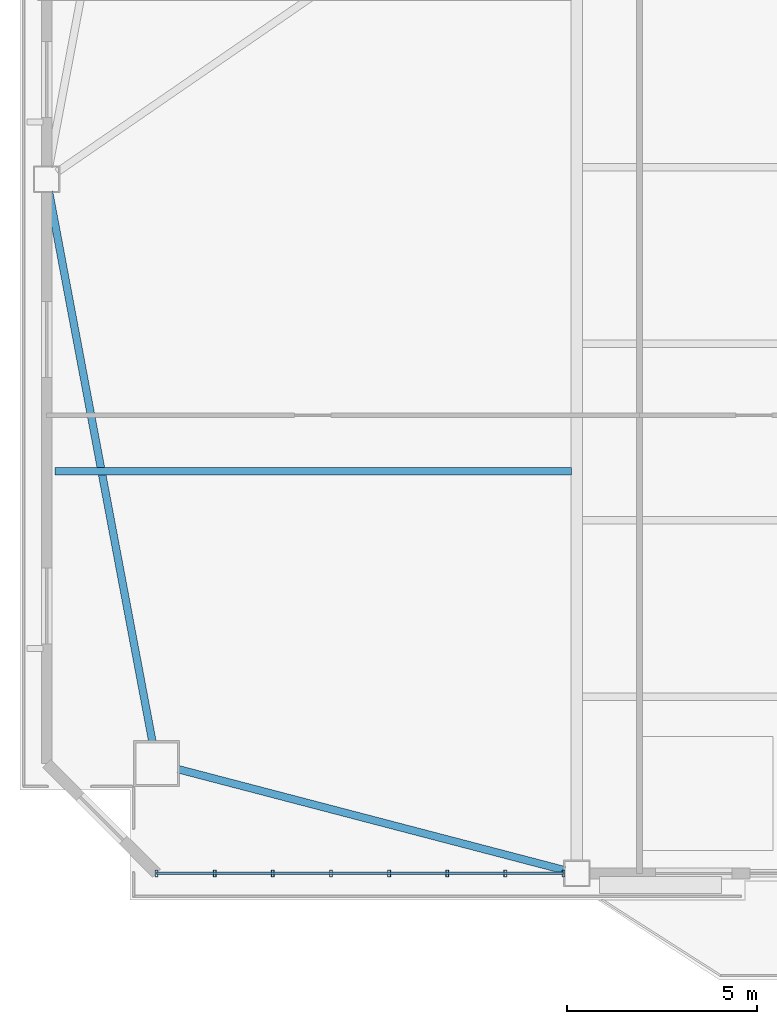
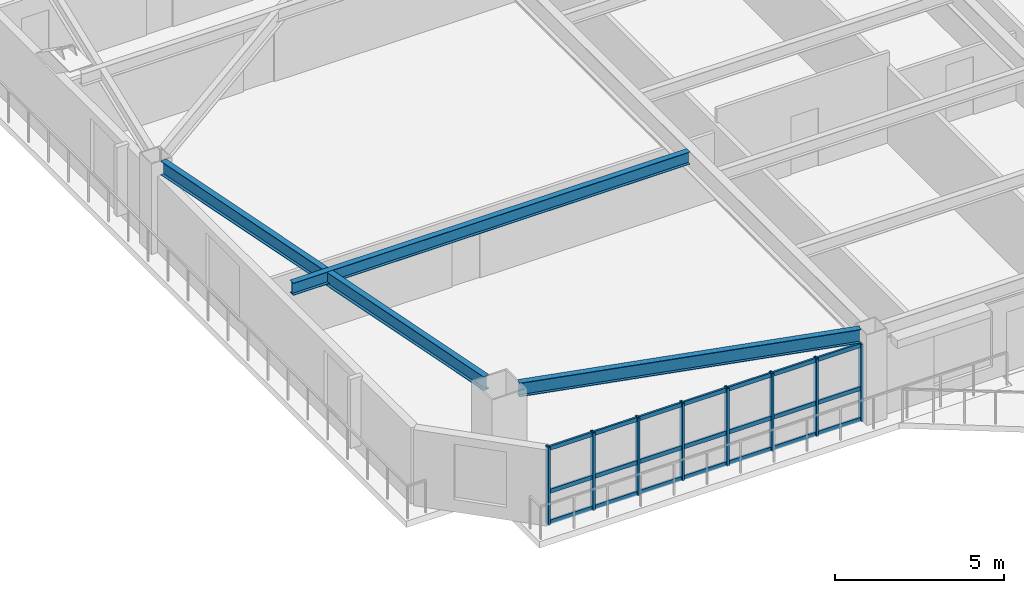
# One storey, part 2 of 15: 11 members, 3 beams, 1 element without a shape of its own.
"""IFC4 building model written with IfcOpenShell, lengths in metres."""

from ifc_helpers import new_model, si_unit, direction, frame, origin, origin_2d, place, context, subcontext, project, spatial, hollow_rectangle, i_section, extrude, source, transform, mapped, material, layer, layer_set, material_profile, profile_set, type_object, element, aggregate, save


model = new_model("IFC4")

# Units and contexts
model_context = context("Model", 3, precision=1e-05, world=origin(), true_north=direction((0.0, 1.0)))
body_context = subcontext(model_context, "Body", "Model", "MODEL_VIEW")
ifc_project = project(units=[si_unit("LENGTHUNIT", "METRE"), si_unit("AREAUNIT", "SQUARE_METRE"), si_unit("VOLUMEUNIT", "CUBIC_METRE"), si_unit("PLANEANGLEUNIT", "RADIAN"), si_unit("MASSUNIT", "GRAM", prefix="KILO")], contexts=[model_context])

# Site, building, storey
site_placement = place(None, origin())
site = spatial("IfcSite", under=ifc_project, at=site_placement, CompositionType="ELEMENT")
building_placement = place(site_placement, origin())
building = spatial("IfcBuilding", under=site, at=building_placement, Name="Giltprow Tower", CompositionType="ELEMENT")
storey_placement = place(building_placement, frame((0.0, 0.0, 173.699951171875)))
storey = spatial("IfcBuildingStorey", under=building, at=storey_placement, Name="L43", CompositionType="ELEMENT", Elevation=173.699951171875)

# Beams
ifc_material_1 = material(Name="Structural steel Q355B", Category="steel")
ifc_material_profile_1 = material_profile(ifc_material_1, i_section(OverallWidth=0.199951171875, OverallDepth=0.449951171875, WebThickness=0.009033203125, FlangeThickness=0.013916015625, at=origin_2d()), Name="HN 450x200x9x14")
ifc_profile_set_1 = profile_set([ifc_material_profile_1], Name="Structural steel Q355B")
beam_type_1 = type_object("IfcBeamType", Name="BM-JOIST-HN450", PredefinedType="JOIST", material=ifc_profile_set_1)
shared_shape_1 = source(origin(), body_context, "Body", "SweptSolid", [
    extrude(i_section(OverallWidth=0.199951171875, OverallDepth=0.449951171875, WebThickness=0.009033203125, FlangeThickness=0.013916015625, at=origin_2d()), origin(), (0.0, 0.0, 1.0), 13.566162109375),
])
beam_1_placement = place(storey_placement, frame((6.138916015625, 20.18798828125, 3.045166015625), z_axis=(1.0, 0.0, 0.0), x_axis=(0.0, 1.0, 0.0)))
element("IfcBeam", 1, at=beam_1_placement, inside=storey, type_object=beam_type_1, Name="L43 West Wing Floor Joist 1", PredefinedType="JOIST", context=body_context, shape_type="MappedRepresentation", body=[
    mapped(shared_shape_1, transform((0.0, 0.0, 0.0), x_axis=(1.0, 0.0, 0.0), y_axis=(0.0, 1.0, 0.0), z_axis=(0.0, 0.0, 1.0), scale=1.0)),
])
ifc_material_profile_2 = material_profile(ifc_material_1, i_section(OverallWidth=0.199951171875, OverallDepth=0.5, WebThickness=0.010009765625, FlangeThickness=0.01611328125, at=origin_2d()), Name="HN 500x200x10x16")
ifc_profile_set_2 = profile_set([ifc_material_profile_2], Name="Structural steel Q355B")
beam_type_2 = type_object("IfcBeamType", Name="BM-SPAN-HN500", PredefinedType="SPANDREL", material=ifc_profile_set_2)
shared_shape_2 = source(origin(), body_context, "Body", "SweptSolid", [
    extrude(i_section(OverallWidth=0.199951171875, OverallDepth=0.5, WebThickness=0.010009765625, FlangeThickness=0.01611328125, at=origin_2d()), origin(), (0.0, 0.0, 1.0), 10.494873046875),
])
beam_2_placement = place(storey_placement, frame((9.3720703125, 12.364990234375, 3.02001953125), z_axis=(0.967495370313, -0.252888727354, 0.0), x_axis=(0.252888727354, 0.967495370313, 0.0)))
element("IfcBeam", 2, at=beam_2_placement, inside=storey, type_object=beam_type_2, Name="L43 Perimeter Spandrel Beam MC_SW-S1", PredefinedType="SPANDREL", context=body_context, shape_type="MappedRepresentation", body=[
    mapped(shared_shape_2, transform((0.0, 0.0, 0.0), x_axis=(1.0, 0.0, 0.0), y_axis=(0.0, 1.0, 0.0), z_axis=(0.0, 0.0, 1.0), scale=1.0)),
])
shared_shape_3 = source(origin(), body_context, "Body", "SweptSolid", [
    extrude(i_section(OverallWidth=0.199951171875, OverallDepth=0.5, WebThickness=0.010009765625, FlangeThickness=0.01611328125, at=origin_2d()), origin(), (0.0, 0.0, 1.0), 14.69921875),
])
beam_3_placement = place(storey_placement, frame((5.98095703125, 27.533935546875, 3.02001953125), z_axis=(0.184841051364, -0.982768429352, 0.0), x_axis=(0.982768429352, 0.184841051364, 0.0)))
element("IfcBeam", 3, at=beam_3_placement, inside=storey, type_object=beam_type_2, Name="L43 Perimeter Spandrel Beam W_MID-MC_SW", PredefinedType="SPANDREL", context=body_context, shape_type="MappedRepresentation", body=[
    mapped(shared_shape_3, transform((0.0, 0.0, 0.0), x_axis=(1.0, 0.0, 0.0), y_axis=(0.0, 1.0, 0.0), z_axis=(0.0, 0.0, 1.0), scale=1.0)),
])

# Curtain wall, members
ifc_material_2 = material(Name="Anodized bronze", Category="metal")
ifc_layer = layer(ifc_material_2, 0.179931640625, Name="Anodized bronze")
ifc_layer_set = layer_set([ifc_layer], Name="Anodized bronze")
curtain_wall_type = type_object("IfcCurtainWallType", Name="CW-HTL-BRONZE", PredefinedType="NOTDEFINED", material=ifc_layer_set)
curtain_wall_placement = place(storey_placement, origin())
curtain_wall = element("IfcCurtainWall", 4, at=curtain_wall_placement, inside=storey, type_object=curtain_wall_type, Name="L43 South Recessed Curtain Wall 1", PredefinedType="NOTDEFINED")
ifc_material_profile_3 = material_profile(ifc_material_2, hollow_rectangle(XDim=0.074951171875, YDim=0.179931640625, WallThickness=0.008056640625, at=origin_2d()), Name="RHS 180x75x8")
ifc_profile_set_3 = profile_set([ifc_material_profile_3], Name="Anodized bronze")
member_type_1 = type_object("IfcMemberType", Name="CW-MULLION-180x75", PredefinedType="MULLION", material=ifc_profile_set_3)
shared_shape_4 = source(origin(), body_context, "Body", "SweptSolid", [
    extrude(hollow_rectangle(XDim=0.074951171875, YDim=0.179931640625, WallThickness=0.008056640625, at=origin_2d()), origin(), (0.0, 0.0, 1.0), 2.80517578125),
])
member_1_placement = place(storey_placement, frame((8.805908203125, 9.6259765625, -0.02001953125), z_axis=(0.0, 0.0, 1.0), x_axis=(1.0, 0.0, 0.0)))
member_1 = element("IfcMember", 5, at=member_1_placement, type_object=member_type_1, Name="L43 South Recessed Curtain Wall 1 Mullion 1", PredefinedType="MULLION", context=body_context, shape_type="MappedRepresentation", body=[
    mapped(shared_shape_4, transform((0.0, 0.0, 0.0), x_axis=(1.0, 0.0, 0.0), y_axis=(0.0, 1.0, 0.0), z_axis=(0.0, 0.0, 1.0), scale=1.0)),
])
member_2_placement = place(storey_placement, frame((10.333984375, 9.6259765625, -0.02001953125), z_axis=(0.0, 0.0, 1.0), x_axis=(1.0, 0.0, 0.0)))
member_2 = element("IfcMember", 6, at=member_2_placement, type_object=member_type_1, Name="L43 South Recessed Curtain Wall 1 Mullion 2", PredefinedType="MULLION", context=body_context, shape_type="MappedRepresentation", body=[
    mapped(shared_shape_4, transform((0.0, 0.0, 0.0), x_axis=(1.0, 0.0, 0.0), y_axis=(0.0, 1.0, 0.0), z_axis=(0.0, 0.0, 1.0), scale=1.0)),
])
member_3_placement = place(storey_placement, frame((11.861083984375, 9.6259765625, -0.02001953125), z_axis=(0.0, 0.0, 1.0), x_axis=(1.0, 0.0, 0.0)))
member_3 = element("IfcMember", 7, at=member_3_placement, type_object=member_type_1, Name="L43 South Recessed Curtain Wall 1 Mullion 3", PredefinedType="MULLION", context=body_context, shape_type="MappedRepresentation", body=[
    mapped(shared_shape_4, transform((0.0, 0.0, 0.0), x_axis=(1.0, 0.0, 0.0), y_axis=(0.0, 1.0, 0.0), z_axis=(0.0, 0.0, 1.0), scale=1.0)),
])
member_4_placement = place(storey_placement, frame((13.388916015625, 9.6259765625, -0.02001953125), z_axis=(0.0, 0.0, 1.0), x_axis=(1.0, 0.0, 0.0)))
member_4 = element("IfcMember", 8, at=member_4_placement, type_object=member_type_1, Name="L43 South Recessed Curtain Wall 1 Mullion 4", PredefinedType="MULLION", context=body_context, shape_type="MappedRepresentation", body=[
    mapped(shared_shape_4, transform((0.0, 0.0, 0.0), x_axis=(1.0, 0.0, 0.0), y_axis=(0.0, 1.0, 0.0), z_axis=(0.0, 0.0, 1.0), scale=1.0)),
])
member_5_placement = place(storey_placement, frame((14.9169921875, 9.6259765625, -0.02001953125), z_axis=(0.0, 0.0, 1.0), x_axis=(1.0, 0.0, 0.0)))
member_5 = element("IfcMember", 9, at=member_5_placement, type_object=member_type_1, Name="L43 South Recessed Curtain Wall 1 Mullion 5", PredefinedType="MULLION", context=body_context, shape_type="MappedRepresentation", body=[
    mapped(shared_shape_4, transform((0.0, 0.0, 0.0), x_axis=(1.0, 0.0, 0.0), y_axis=(0.0, 1.0, 0.0), z_axis=(0.0, 0.0, 1.0), scale=1.0)),
])
member_6_placement = place(storey_placement, frame((16.445068359375, 9.6259765625, -0.02001953125), z_axis=(0.0, 0.0, 1.0), x_axis=(1.0, 0.0, 0.0)))
member_6 = element("IfcMember", 10, at=member_6_placement, type_object=member_type_1, Name="L43 South Recessed Curtain Wall 1 Mullion 6", PredefinedType="MULLION", context=body_context, shape_type="MappedRepresentation", body=[
    mapped(shared_shape_4, transform((0.0, 0.0, 0.0), x_axis=(1.0, 0.0, 0.0), y_axis=(0.0, 1.0, 0.0), z_axis=(0.0, 0.0, 1.0), scale=1.0)),
])
member_7_placement = place(storey_placement, frame((17.971923828125, 9.6259765625, -0.02001953125), z_axis=(0.0, 0.0, 1.0), x_axis=(1.0, 0.0, 0.0)))
member_7 = element("IfcMember", 11, at=member_7_placement, type_object=member_type_1, Name="L43 South Recessed Curtain Wall 1 Mullion 7", PredefinedType="MULLION", context=body_context, shape_type="MappedRepresentation", body=[
    mapped(shared_shape_4, transform((0.0, 0.0, 0.0), x_axis=(1.0, 0.0, 0.0), y_axis=(0.0, 1.0, 0.0), z_axis=(0.0, 0.0, 1.0), scale=1.0)),
])
member_8_placement = place(storey_placement, frame((19.5, 9.6259765625, -0.02001953125), z_axis=(0.0, 0.0, 1.0), x_axis=(1.0, 0.0, 0.0)))
member_8 = element("IfcMember", 12, at=member_8_placement, type_object=member_type_1, Name="L43 South Recessed Curtain Wall 1 Mullion 8", PredefinedType="MULLION", context=body_context, shape_type="MappedRepresentation", body=[
    mapped(shared_shape_4, transform((0.0, 0.0, 0.0), x_axis=(1.0, 0.0, 0.0), y_axis=(0.0, 1.0, 0.0), z_axis=(0.0, 0.0, 1.0), scale=1.0)),
])
ifc_material_profile_4 = material_profile(ifc_material_2, hollow_rectangle(XDim=0.06494140625, YDim=0.14990234375, WallThickness=0.006103515625, at=origin_2d()), Name="RHS 150x65x6")
ifc_profile_set_4 = profile_set([ifc_material_profile_4], Name="Anodized bronze")
member_type_2 = type_object("IfcMemberType", Name="CW-TRANSOM-150x65", PredefinedType="USERDEFINED", material=ifc_profile_set_4)
shared_shape_5 = source(origin(), body_context, "Body", "SweptSolid", [
    extrude(hollow_rectangle(XDim=0.06494140625, YDim=0.14990234375, WallThickness=0.006103515625, at=origin_2d()), origin(), (0.0, 0.0, 1.0), 10.694091796875),
])
member_9_placement = place(storey_placement, frame((8.805908203125, 9.6259765625, 0.0400390625), z_axis=(1.0, 0.0, 0.0), x_axis=(0.0, 1.0, 0.0)))
member_9 = element("IfcMember", 13, at=member_9_placement, type_object=member_type_2, Name="L43 South Recessed Curtain Wall 1 Transom 1", ObjectType="TRANSOM", PredefinedType="USERDEFINED", context=body_context, shape_type="MappedRepresentation", body=[
    mapped(shared_shape_5, transform((0.0, 0.0, 0.0), x_axis=(1.0, 0.0, 0.0), y_axis=(0.0, 1.0, 0.0), z_axis=(0.0, 0.0, 1.0), scale=1.0)),
])
member_10_placement = place(storey_placement, frame((8.805908203125, 9.6259765625, 1.155029296875), z_axis=(1.0, 0.0, 0.0), x_axis=(0.0, 1.0, 0.0)))
member_10 = element("IfcMember", 14, at=member_10_placement, type_object=member_type_2, Name="L43 South Recessed Curtain Wall 1 Transom 2", ObjectType="TRANSOM", PredefinedType="USERDEFINED", context=body_context, shape_type="MappedRepresentation", body=[
    mapped(shared_shape_5, transform((0.0, 0.0, 0.0), x_axis=(1.0, 0.0, 0.0), y_axis=(0.0, 1.0, 0.0), z_axis=(0.0, 0.0, 1.0), scale=1.0)),
])
member_11_placement = place(storey_placement, frame((8.805908203125, 9.6259765625, 2.7099609375), z_axis=(1.0, 0.0, 0.0), x_axis=(0.0, 1.0, 0.0)))
member_11 = element("IfcMember", 15, at=member_11_placement, type_object=member_type_2, Name="L43 South Recessed Curtain Wall 1 Transom 3", ObjectType="TRANSOM", PredefinedType="USERDEFINED", context=body_context, shape_type="MappedRepresentation", body=[
    mapped(shared_shape_5, transform((0.0, 0.0, 0.0), x_axis=(1.0, 0.0, 0.0), y_axis=(0.0, 1.0, 0.0), z_axis=(0.0, 0.0, 1.0), scale=1.0)),
])
aggregate(curtain_wall, [member_1, member_2, member_3, member_4, member_5, member_6, member_7, member_8, member_9, member_10, member_11])

save(model, "model.ifc")
